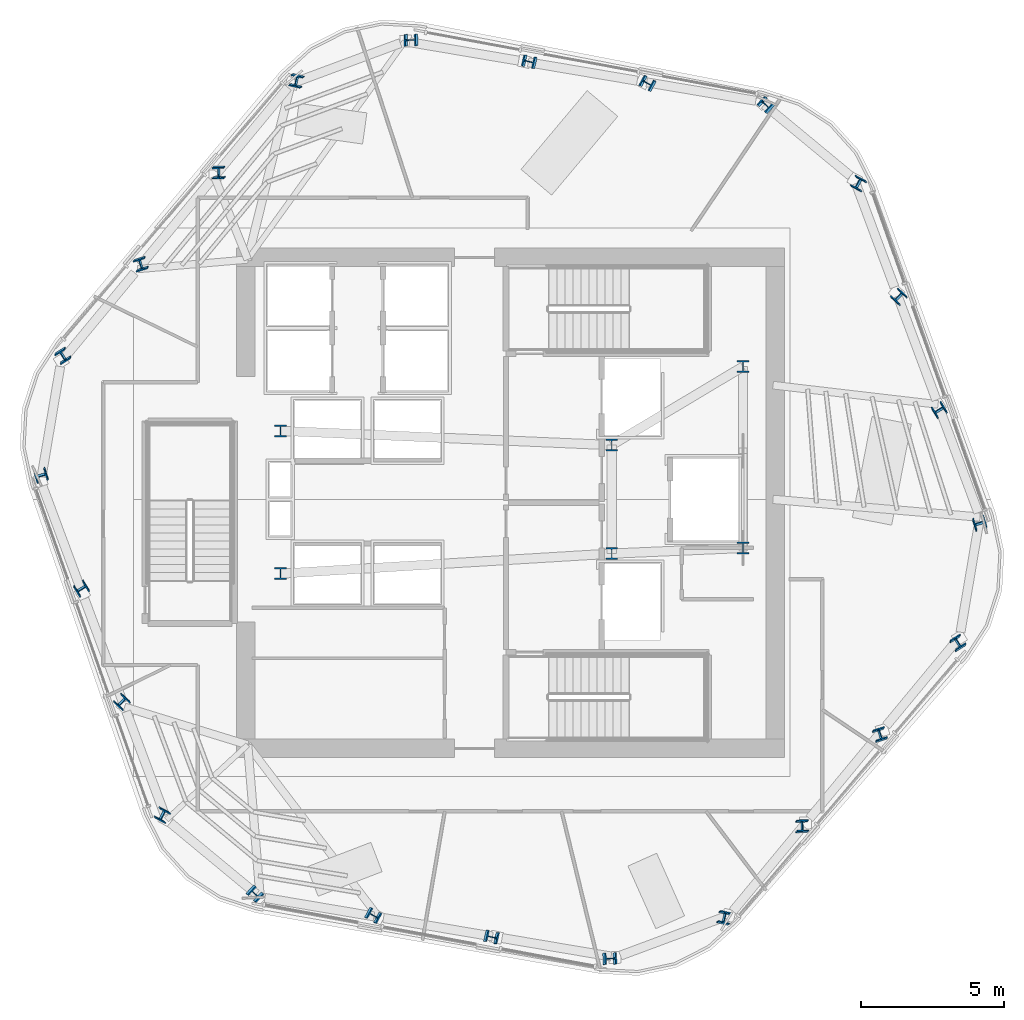
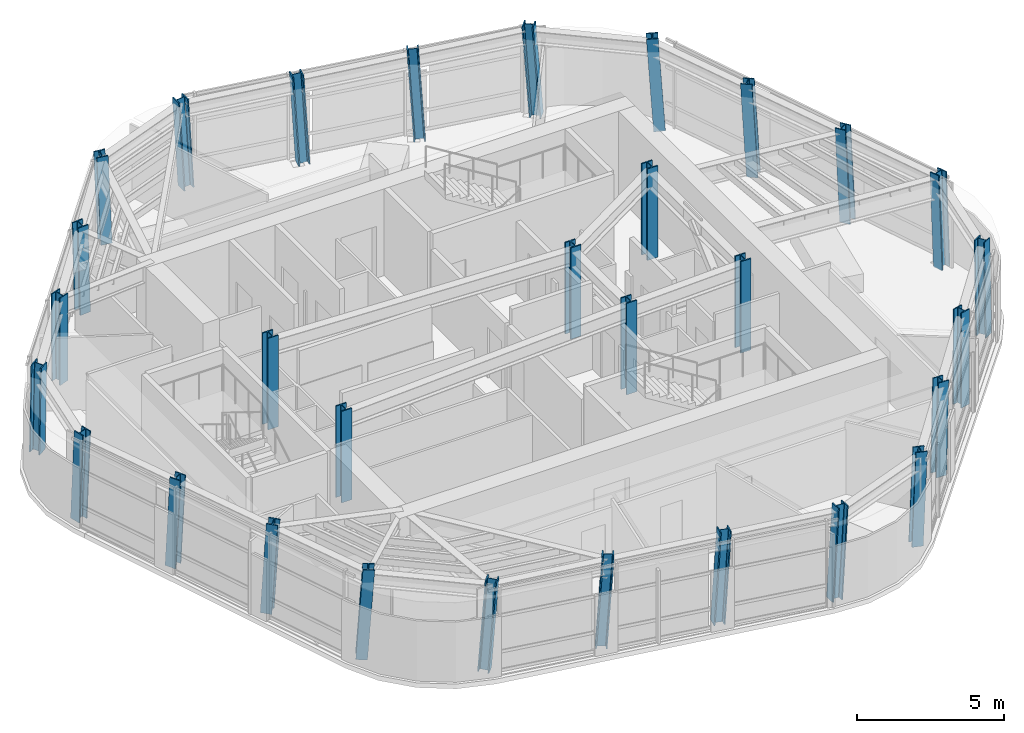
# One storey, part 1 of 12: 30 columns.
"""IFC4 building model written with IfcOpenShell, lengths in metres."""

from ifc_helpers import new_model, si_unit, direction, frame, origin, origin_2d, place, context, subcontext, project, spatial, i_section, extrude, material, material_profile, profile_set, type_object, element, save


model = new_model("IFC4")

# Units and contexts
model_context = context("Model", 3, precision=1e-05, world=origin(), true_north=direction((0.0, 1.0)))
body_context = subcontext(model_context, "Body", "Model", "MODEL_VIEW")
ifc_project = project(units=[si_unit("LENGTHUNIT", "METRE"), si_unit("AREAUNIT", "SQUARE_METRE"), si_unit("VOLUMEUNIT", "CUBIC_METRE"), si_unit("PLANEANGLEUNIT", "RADIAN"), si_unit("MASSUNIT", "GRAM", prefix="KILO")], contexts=[model_context])

# Site, building, storey
site_placement = place(None, origin())
site = spatial("IfcSite", under=ifc_project, at=site_placement, CompositionType="ELEMENT")
building_placement = place(site_placement, origin())
building = spatial("IfcBuilding", under=site, at=building_placement, Name="Valkerne Bourse Tower", CompositionType="ELEMENT")
storey_placement = place(building_placement, frame((0.0, 0.0, 236.0)))
storey = spatial("IfcBuildingStorey", under=building, at=storey_placement, Name="L60", CompositionType="ELEMENT", Elevation=236.0)

# Columns
ifc_material = material(Name="Steel ASTM A913 Grade 65", Category="steel")
ifc_material_profile_1 = material_profile(ifc_material, i_section(OverallWidth=0.40380859375, OverallDepth=0.406494140625, WebThickness=0.027099609375, FlangeThickness=0.043701171875, FilletRadius=0.025390625, at=origin_2d()), Name="W14X233")
ifc_profile_set_1 = profile_set([ifc_material_profile_1], Name="Steel ASTM A913 Grade 65")
column_type_1 = type_object("IfcColumnType", Name="COL-W14X233", PredefinedType="COLUMN", material=ifc_profile_set_1)
column_1_placement = place(storey_placement, frame((55.781982421875, 40.79296875, 0.010009765625), z_axis=(-0.057462481936, 0.036783718818, 0.997669795674), x_axis=(0.683230974234, 0.730096462801, 0.012433457013)))
element("IfcColumn", 1, at=column_1_placement, inside=storey, type_object=column_type_1, Name="L60 Helical Perimeter Tube Column F1-C1", PredefinedType="COLUMN", context=body_context, shape_type="SweptSolid", body=[
    extrude(i_section(OverallWidth=0.40380859375, OverallDepth=0.406494140625, WebThickness=0.027099609375, FlangeThickness=0.043701171875, FilletRadius=0.025390625, at=origin_2d()), origin(), (0.0, 0.0, 1.0), 3.789794921875),
])
for number, where, z_axis, x_axis, name in (
    (2, (51.640380859375, 41.560546875, 0.010009765625), (-0.060508744054, 0.019589625338, 0.997975419774), (0.475876312302, 0.879435841752, 0.011590324876), "L60 Helical Perimeter Tube Column F1-C2"),
    (3, (47.4990234375, 42.327880859375, 0.010009765625), (-0.063537468798, 0.002448705694, 0.997976449571), (0.219597944485, 0.975521642716, 0.011587379792), "L60 Helical Perimeter Tube Column F1-C3"),
):
    element("IfcColumn", number, at=place(storey_placement, frame(where, z_axis=z_axis, x_axis=x_axis)), inside=storey, type_object=column_type_1, Name=name, PredefinedType="COLUMN", context=body_context, shape_type="SweptSolid", body=[
        extrude(i_section(OverallWidth=0.40380859375, OverallDepth=0.406494140625, WebThickness=0.027099609375, FlangeThickness=0.043701171875, FilletRadius=0.025390625, at=origin_2d()), origin(), (0.0, 0.0, 1.0), 3.78857421875),
    ])
for number, where, z_axis, x_axis, name in (
    (4, (43.357421875, 43.095703125, 0.010009765625), (-0.066545913896, -0.014816612, 0.997673348022), (-0.036225541694, 0.999266408257, 0.012423987172), "L60 Helical Perimeter Tube Column F1-C4"),
    (5, (39.345947265625, 41.675048828125, 0.010009765625), (-0.060554751037, -0.031372514633, 0.997671733313), (-0.972356496956, 0.227669693641, -0.051858976324), "L60 Helical Perimeter Tube Column F2-C1"),
):
    element("IfcColumn", number, at=place(storey_placement, frame(where, z_axis=z_axis, x_axis=x_axis)), inside=storey, type_object=column_type_1, Name=name, PredefinedType="COLUMN", context=body_context, shape_type="SweptSolid", body=[
        extrude(i_section(OverallWidth=0.40380859375, OverallDepth=0.406494140625, WebThickness=0.027099609375, FlangeThickness=0.043701171875, FilletRadius=0.025390625, at=origin_2d()), origin(), (0.0, 0.0, 1.0), 3.789794921875),
    ])
for number, where, z_axis, x_axis, name in (
    (6, (36.610595703125, 38.47216796875, 0.010009765625), (-0.047234188146, -0.042594540743, 0.997975268516), (-0.998493874672, -0.025901416856, -0.048364231076), "L60 Helical Perimeter Tube Column F2-C2"),
    (7, (33.875, 35.269287109375, 0.010009765625), (-0.03383074047, -0.05387142673, 0.997974624117), (-0.953569524126, -0.297263048688, -0.048371918956), "L60 Helical Perimeter Tube Column F2-C3"),
):
    element("IfcColumn", number, at=place(storey_placement, frame(where, z_axis=z_axis, x_axis=x_axis)), inside=storey, type_object=column_type_1, Name=name, PredefinedType="COLUMN", context=body_context, shape_type="SweptSolid", body=[
        extrude(i_section(OverallWidth=0.40380859375, OverallDepth=0.406494140625, WebThickness=0.027099609375, FlangeThickness=0.043701171875, FilletRadius=0.025390625, at=origin_2d()), origin(), (0.0, 0.0, 1.0), 3.78857421875),
    ])
for number, where, z_axis, x_axis, name in (
    (8, (31.1396484375, 32.066650390625, 0.010009765625), (-0.02048543819, -0.065128232736, 0.997666607702), (-0.847149723833, -0.528811949908, -0.051915961357), "L60 Helical Perimeter Tube Column F2-C4"),
    (9, (30.364013671875, 27.882080078125, 0.010009765625), (-0.003092151732, -0.068156177753, 0.997669872268), (0.290840999787, -0.954607437776, -0.064312927047), "L60 Helical Perimeter Tube Column F3-C1"),
):
    element("IfcColumn", number, at=place(storey_placement, frame(where, z_axis=z_axis, x_axis=x_axis)), inside=storey, type_object=column_type_1, Name=name, PredefinedType="COLUMN", context=body_context, shape_type="SweptSolid", body=[
        extrude(i_section(OverallWidth=0.40380859375, OverallDepth=0.406494140625, WebThickness=0.027099609375, FlangeThickness=0.043701171875, FilletRadius=0.025390625, at=origin_2d()), origin(), (0.0, 0.0, 1.0), 3.789794921875),
    ])
for number, where, z_axis, x_axis, name in (
    (10, (31.77001953125, 23.911865234375, 0.010009765625), (0.013274508648, -0.062248424047, 0.997972404991), (0.522665865281, -0.850423843761, -0.059997326876), "L60 Helical Perimeter Tube Column F3-C2"),
    (11, (33.176025390625, 19.94140625, 0.010009765625), (0.029706604152, -0.056255673372, 0.997974356826), (0.734459893169, -0.675997372599, -0.05996847143), "L60 Helical Perimeter Tube Column F3-C3"),
):
    element("IfcColumn", number, at=place(storey_placement, frame(where, z_axis=z_axis, x_axis=x_axis)), inside=storey, type_object=column_type_1, Name=name, PredefinedType="COLUMN", context=body_context, shape_type="SweptSolid", body=[
        extrude(i_section(OverallWidth=0.40380859375, OverallDepth=0.406494140625, WebThickness=0.027099609375, FlangeThickness=0.043701171875, FilletRadius=0.025390625, at=origin_2d()), origin(), (0.0, 0.0, 1.0), 3.78857421875),
    ])
for number, where, z_axis, x_axis, name in (
    (12, (34.58203125, 15.970947265625, 0.010009765625), (0.046124655237, -0.050247529448, 0.997671139185), (0.881875176084, -0.467078438244, -0.06429546122), "L60 Helical Perimeter Tube Column F3-C4"),
    (13, (37.818115234375, 13.20703125, 0.010009765625), (0.057462481936, -0.036783718818, 0.997669795674), (0.683230974234, 0.730096462801, -0.012433457013), "L60 Helical Perimeter Tube Column F4-C1"),
):
    element("IfcColumn", number, at=place(storey_placement, frame(where, z_axis=z_axis, x_axis=x_axis)), inside=storey, type_object=column_type_1, Name=name, PredefinedType="COLUMN", context=body_context, shape_type="SweptSolid", body=[
        extrude(i_section(OverallWidth=0.40380859375, OverallDepth=0.406494140625, WebThickness=0.027099609375, FlangeThickness=0.043701171875, FilletRadius=0.025390625, at=origin_2d()), origin(), (0.0, 0.0, 1.0), 3.789794921875),
    ])
for number, where, z_axis, x_axis, name in (
    (14, (41.95947265625, 12.439453125, 0.010009765625), (0.060508744054, -0.019589625338, 0.997975419774), (0.475876312302, 0.879435841752, -0.011590324876), "L60 Helical Perimeter Tube Column F4-C2"),
    (15, (46.10107421875, 11.672119140625, 0.010009765625), (0.063537468798, -0.002448705694, 0.997976449571), (0.219597944485, 0.975521642716, -0.011587379792), "L60 Helical Perimeter Tube Column F4-C3"),
):
    element("IfcColumn", number, at=place(storey_placement, frame(where, z_axis=z_axis, x_axis=x_axis)), inside=storey, type_object=column_type_1, Name=name, PredefinedType="COLUMN", context=body_context, shape_type="SweptSolid", body=[
        extrude(i_section(OverallWidth=0.40380859375, OverallDepth=0.406494140625, WebThickness=0.027099609375, FlangeThickness=0.043701171875, FilletRadius=0.025390625, at=origin_2d()), origin(), (0.0, 0.0, 1.0), 3.78857421875),
    ])
for number, where, z_axis, x_axis, name in (
    (16, (50.242431640625, 10.904296875, 0.010009765625), (0.06661004826, 0.014816548453, 0.997669069062), (-0.036021282697, 0.999273650303, -0.012435393121), "L60 Helical Perimeter Tube Column F4-C4"),
    (17, (54.25390625, 12.324951171875, 0.010009765625), (0.060618934389, 0.031372392187, 0.997667839414), (-0.972254930841, 0.228093190352, 0.051902273276), "L60 Helical Perimeter Tube Column F5-C1"),
):
    element("IfcColumn", number, at=place(storey_placement, frame(where, z_axis=z_axis, x_axis=x_axis)), inside=storey, type_object=column_type_1, Name=name, PredefinedType="COLUMN", context=body_context, shape_type="SweptSolid", body=[
        extrude(i_section(OverallWidth=0.40380859375, OverallDepth=0.406494140625, WebThickness=0.027099609375, FlangeThickness=0.043701171875, FilletRadius=0.025390625, at=origin_2d()), origin(), (0.0, 0.0, 1.0), 3.789794921875),
    ])
for number, where, z_axis, x_axis, name in (
    (18, (56.989501953125, 15.52783203125, 0.010009765625), (0.047234188146, 0.042594540743, 0.997975268516), (-0.998493874672, -0.025901416856, 0.048364231076), "L60 Helical Perimeter Tube Column F5-C2"),
    (19, (59.72509765625, 18.730712890625, 0.010009765625), (0.03383074047, 0.05387142673, 0.997974624117), (-0.953569524126, -0.297263048688, 0.048371918956), "L60 Helical Perimeter Tube Column F5-C3"),
):
    element("IfcColumn", number, at=place(storey_placement, frame(where, z_axis=z_axis, x_axis=x_axis)), inside=storey, type_object=column_type_1, Name=name, PredefinedType="COLUMN", context=body_context, shape_type="SweptSolid", body=[
        extrude(i_section(OverallWidth=0.40380859375, OverallDepth=0.406494140625, WebThickness=0.027099609375, FlangeThickness=0.043701171875, FilletRadius=0.025390625, at=origin_2d()), origin(), (0.0, 0.0, 1.0), 3.78857421875),
    ])
for number, where, z_axis, x_axis, name in (
    (20, (62.46044921875, 21.933349609375, 0.010009765625), (0.02048543819, 0.065128232736, 0.997666607702), (-0.847149723833, -0.528811949908, 0.051915961357), "L60 Helical Perimeter Tube Column F5-C4"),
    (21, (63.236083984375, 26.117919921875, 0.010009765625), (0.003092151732, 0.068156177753, 0.997669872268), (0.290840999787, -0.954607437776, 0.064312927047), "L60 Helical Perimeter Tube Column F6-C1"),
):
    element("IfcColumn", number, at=place(storey_placement, frame(where, z_axis=z_axis, x_axis=x_axis)), inside=storey, type_object=column_type_1, Name=name, PredefinedType="COLUMN", context=body_context, shape_type="SweptSolid", body=[
        extrude(i_section(OverallWidth=0.40380859375, OverallDepth=0.406494140625, WebThickness=0.027099609375, FlangeThickness=0.043701171875, FilletRadius=0.025390625, at=origin_2d()), origin(), (0.0, 0.0, 1.0), 3.789794921875),
    ])
for number, where, z_axis, x_axis, name in (
    (22, (61.830078125, 30.088134765625, 0.010009765625), (-0.013338936572, 0.062248370671, 0.997971549254), (0.523507324468, -0.849905220781, 0.06000997349), "L60 Helical Perimeter Tube Column F6-C2"),
    (23, (60.424072265625, 34.05859375, 0.010009765625), (-0.029770986588, 0.056255565566, 0.997972444359), (0.735063964085, -0.675337959316, 0.059996745005), "L60 Helical Perimeter Tube Column F6-C3"),
):
    element("IfcColumn", number, at=place(storey_placement, frame(where, z_axis=z_axis, x_axis=x_axis)), inside=storey, type_object=column_type_1, Name=name, PredefinedType="COLUMN", context=body_context, shape_type="SweptSolid", body=[
        extrude(i_section(OverallWidth=0.40380859375, OverallDepth=0.406494140625, WebThickness=0.027099609375, FlangeThickness=0.043701171875, FilletRadius=0.025390625, at=origin_2d()), origin(), (0.0, 0.0, 1.0), 3.78857421875),
    ])
column_2_placement = place(storey_placement, frame((59.01806640625, 38.029052734375, 0.010009765625), z_axis=(-0.046124655237, 0.050247529448, 0.997671139185), x_axis=(0.881875176084, -0.467078438244, 0.06429546122)))
element("IfcColumn", 24, at=column_2_placement, inside=storey, type_object=column_type_1, Name="L60 Helical Perimeter Tube Column F6-C4", PredefinedType="COLUMN", context=body_context, shape_type="SweptSolid", body=[
    extrude(i_section(OverallWidth=0.40380859375, OverallDepth=0.406494140625, WebThickness=0.027099609375, FlangeThickness=0.043701171875, FilletRadius=0.025390625, at=origin_2d()), origin(), (0.0, 0.0, 1.0), 3.789794921875),
])
ifc_material_profile_2 = material_profile(ifc_material, i_section(OverallWidth=0.408935546875, OverallDepth=0.42431640625, WebThickness=0.03271484375, FlangeThickness=0.052490234375, FilletRadius=0.025390625, at=origin_2d()), Name="W14X283")
ifc_profile_set_2 = profile_set([ifc_material_profile_2], Name="Steel ASTM A913 Grade 65")
column_type_2 = type_object("IfcColumnType", Name="COL-W14X283", PredefinedType="COLUMN", material=ifc_profile_set_2)
for number, where, z_axis, x_axis, name in (
    (25, (38.75, 24.39990234375, 0.0048828125), (0.0, 0.0, 1.0), (1.0, 0.0, 0.0), "L60 Core Frame Column CC-SW"),
    (26, (38.75, 29.39990234375, 0.0048828125), (0.0, 0.0, 1.0), (1.0, 0.0, 0.0), "L60 Core Frame Column CC-NW"),
    (27, (50.35009765625, 25.10009765625, 0.0048828125), (0.0, 0.0, 1.0), (1.0, 0.0, 0.0), "L60 Core Frame Column CC-CE1"),
    (28, (50.35009765625, 28.89990234375, 0.0048828125), (0.0, 0.0, 1.0), (1.0, 0.0, 0.0), "L60 Core Frame Column CC-CE2"),
    (29, (54.949951171875, 25.300048828125, 0.0048828125), (0.0, 0.0, 1.0), (1.0, 0.0, 0.0), "L60 Core Frame Column CC-SE"),
    (30, (54.949951171875, 31.64990234375, 0.0048828125), (0.0, 0.0, 1.0), (1.0, 0.0, 0.0), "L60 Core Frame Column CC-NE"),
):
    element("IfcColumn", number, at=place(storey_placement, frame(where, z_axis=z_axis, x_axis=x_axis)), inside=storey, type_object=column_type_2, Name=name, PredefinedType="COLUMN", context=body_context, shape_type="SweptSolid", body=[
        extrude(i_section(OverallWidth=0.408935546875, OverallDepth=0.42431640625, WebThickness=0.03271484375, FlangeThickness=0.052490234375, FilletRadius=0.025390625, at=origin_2d()), origin(), (0.0, 0.0, 1.0), 3.795166015625),
    ])

save(model, "model.ifc")
